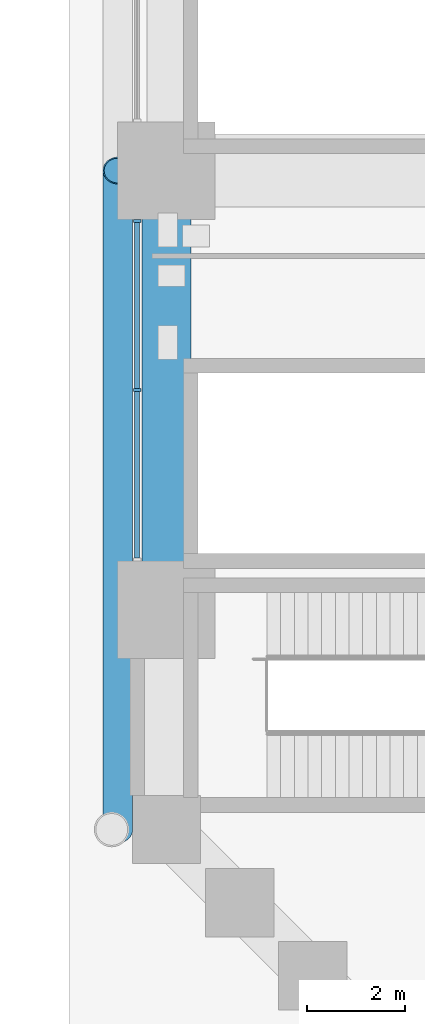
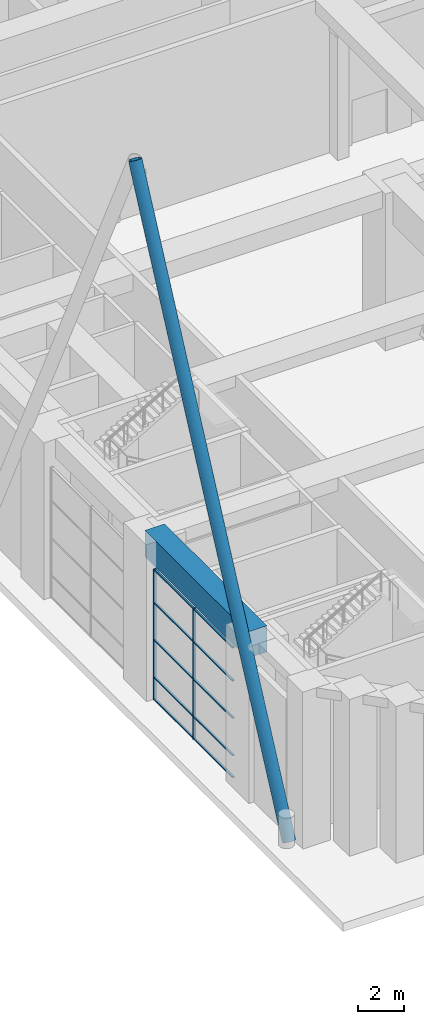
# One storey, part 3 of 44: 13 members, 1 beam, 1 element without a shape of its own.
"""IFC4 building model written with IfcOpenShell, lengths in metres."""

from ifc_helpers import new_model, si_unit, direction, frame, origin, origin_2d, place, context, subcontext, project, spatial, rectangle, hollow_circle, extrude, material, material_profile, profile_set, type_object, element, aggregate, save


model = new_model("IFC4")

# Units and contexts
model_context = context("Model", 3, precision=1e-05, world=origin(), true_north=direction((0.0, 1.0)))
body_context = subcontext(model_context, "Body", "Model", "MODEL_VIEW")
ifc_project = project(units=[si_unit("LENGTHUNIT", "METRE"), si_unit("AREAUNIT", "SQUARE_METRE"), si_unit("VOLUMEUNIT", "CUBIC_METRE"), si_unit("PLANEANGLEUNIT", "RADIAN"), si_unit("MASSUNIT", "GRAM", prefix="KILO")], contexts=[model_context])

# Site, building, storey
site_placement = place(None, origin())
site = spatial("IfcSite", under=ifc_project, at=site_placement, CompositionType="ELEMENT")
building_placement = place(site_placement, origin())
building = spatial("IfcBuilding", under=site, at=building_placement, Name="Firuza Court", CompositionType="ELEMENT")
storey_placement = place(building_placement, origin())
storey = spatial("IfcBuildingStorey", under=building, at=storey_placement, Name="L00", CompositionType="ELEMENT", Elevation=0.0)

# Member
ifc_material_1 = material(Name="Steel S355", Category="steel")
ifc_material_profile_1 = material_profile(ifc_material_1, hollow_circle(Radius=0.304931640625, WallThickness=0.02490234375, at=origin_2d()), Name="CHS 610x25")
ifc_profile_set_1 = profile_set([ifc_material_profile_1], Name="Steel S355")
member_type_1 = type_object("IfcMemberType", Name="Diagrid diagonal CHS 610x25 S355", PredefinedType="USERDEFINED", material=ifc_profile_set_1)
member_1_placement = place(storey_placement, frame((-0.9951171875, 4.5, 0.130859375), z_axis=(0.0, 0.430315969648, 0.902678329343), x_axis=(-1.0, 0.0, 0.0)))
element("IfcMember", 1, at=member_1_placement, inside=storey, type_object=member_type_1, Name="Diagrid diagonal L00 to L05", ObjectType="DIAGRID", PredefinedType="USERDEFINED", context=body_context, shape_type="SweptSolid", body=[
    extrude(hollow_circle(Radius=0.304931640625, WallThickness=0.02490234375, at=origin_2d()), origin(), (0.0, 0.0, 1.0), 31.372314453125),
])

# Curtain wall, members
ifc_material_2 = material(Name="Aluminium curtain wall, triple clear glazing", Category="aluminium")
curtain_wall_type = type_object("IfcCurtainWallType", Name="Ground lobby stick shopfront CW2", PredefinedType="NOTDEFINED", material=ifc_material_2)
curtain_wall_placement = place(storey_placement, origin())
curtain_wall = element("IfcCurtainWall", 2, at=curtain_wall_placement, inside=storey, type_object=curtain_wall_type, Name="Ground lobby stick shopfront CW2 L00", PredefinedType="NOTDEFINED")
ifc_material_3 = material(Name="Aluminium EN AW-6060 T66", Category="aluminium")
ifc_material_profile_2 = material_profile(ifc_material_3, rectangle(XDim=0.14990234375, YDim=0.06005859375, at=origin_2d()), Name="Mullion 150 x 60 CW2")
ifc_profile_set_2 = profile_set([ifc_material_profile_2], Name="Aluminium EN AW-6060 T66")
member_type_2 = type_object("IfcMemberType", Name="Mullion 150 x 60 CW2", PredefinedType="MULLION", material=ifc_profile_set_2)
member_2_placement = place(storey_placement, frame((-0.60009765625, 16.969970703125, 0.0), z_axis=(0.0, 0.0, 1.0), x_axis=(1.0, 0.0, 0.0)))
member_2 = element("IfcMember", 3, at=member_2_placement, type_object=member_type_2, Name="CW2 mullion 1", PredefinedType="MULLION", context=body_context, shape_type="SweptSolid", body=[
    extrude(rectangle(XDim=0.14990234375, YDim=0.06005859375, at=origin_2d()), origin(), (0.0, 0.0, 1.0), 7.0),
])
member_3_placement = place(storey_placement, frame((-0.60009765625, 13.5, 0.0), z_axis=(0.0, 0.0, 1.0), x_axis=(1.0, 0.0, 0.0)))
member_3 = element("IfcMember", 4, at=member_3_placement, type_object=member_type_2, Name="CW2 mullion 2", PredefinedType="MULLION", context=body_context, shape_type="SweptSolid", body=[
    extrude(rectangle(XDim=0.14990234375, YDim=0.06005859375, at=origin_2d()), origin(), (0.0, 0.0, 1.0), 7.0),
])

# Beam
ifc_material_4 = material(Name="Concrete C60/75", Category="concrete")
ifc_material_profile_3 = material_profile(ifc_material_4, rectangle(XDim=1.0, YDim=1.39990234375, at=origin_2d()), Name="RC 1000x1400")
ifc_profile_set_3 = profile_set([ifc_material_profile_3], Name="Concrete C60/75")
beam_type = type_object("IfcBeamType", Name="Transfer girder RC 1000x1400 C60/75", PredefinedType="USERDEFINED", material=ifc_profile_set_3)
beam_placement = place(storey_placement, frame((0.0, 18.0, 7.699951171875), z_axis=(0.0, -1.0, 0.0), x_axis=(1.0, 0.0, 0.0)))
element("IfcBeam", 5, at=beam_placement, inside=storey, type_object=beam_type, Name="Transfer girder TG1 level L01", ObjectType="TRANSFER GIRDER", PredefinedType="USERDEFINED", context=body_context, shape_type="SweptSolid", body=[
    extrude(rectangle(XDim=1.0, YDim=1.39990234375, at=origin_2d()), origin(), (0.0, 0.0, 1.0), 9.0),
])

# Member
ifc_material_5 = material(Name="Aluminium EN AW-6060 T66", Category="aluminium")
ifc_material_profile_4 = material_profile(ifc_material_5, rectangle(XDim=0.10009765625, YDim=0.06005859375, at=origin_2d()), Name="Transom 100 x 60 CW2")
ifc_profile_set_4 = profile_set([ifc_material_profile_4], Name="Aluminium EN AW-6060 T66")
member_type_3 = type_object("IfcMemberType", Name="Transom 100 x 60 CW2", PredefinedType="USERDEFINED", material=ifc_profile_set_4)
member_4_placement = place(storey_placement, frame((-0.60009765625, 16.93994140625, 0.030029296875), z_axis=(0.0, -1.0, 0.0), x_axis=(1.0, 0.0, 0.0)))
member_4 = element("IfcMember", 6, at=member_4_placement, type_object=member_type_3, Name="CW2 transom 1.1", ObjectType="TRANSOM", PredefinedType="USERDEFINED", context=body_context, shape_type="SweptSolid", body=[
    extrude(rectangle(XDim=0.10009765625, YDim=0.06005859375, at=origin_2d()), origin(), (0.0, 0.0, 1.0), 3.409912109375),
])

member_5_placement = place(storey_placement, frame((-0.60009765625, 16.93994140625, 1.199951171875), z_axis=(0.0, -1.0, 0.0), x_axis=(1.0, 0.0, 0.0)))
member_5 = element("IfcMember", 7, at=member_5_placement, type_object=member_type_3, Name="CW2 transom 1.2", ObjectType="TRANSOM", PredefinedType="USERDEFINED", context=body_context, shape_type="SweptSolid", body=[
    extrude(rectangle(XDim=0.10009765625, YDim=0.06005859375, at=origin_2d()), origin(), (0.0, 0.0, 1.0), 3.409912109375),
])

member_6_placement = place(storey_placement, frame((-0.60009765625, 16.93994140625, 3.199951171875), z_axis=(0.0, -1.0, 0.0), x_axis=(1.0, 0.0, 0.0)))
member_6 = element("IfcMember", 8, at=member_6_placement, type_object=member_type_3, Name="CW2 transom 1.3", ObjectType="TRANSOM", PredefinedType="USERDEFINED", context=body_context, shape_type="SweptSolid", body=[
    extrude(rectangle(XDim=0.10009765625, YDim=0.06005859375, at=origin_2d()), origin(), (0.0, 0.0, 1.0), 3.409912109375),
])

member_7_placement = place(storey_placement, frame((-0.60009765625, 16.93994140625, 5.199951171875), z_axis=(0.0, -1.0, 0.0), x_axis=(1.0, 0.0, 0.0)))
member_7 = element("IfcMember", 9, at=member_7_placement, type_object=member_type_3, Name="CW2 transom 1.4", ObjectType="TRANSOM", PredefinedType="USERDEFINED", context=body_context, shape_type="SweptSolid", body=[
    extrude(rectangle(XDim=0.10009765625, YDim=0.06005859375, at=origin_2d()), origin(), (0.0, 0.0, 1.0), 3.409912109375),
])

member_8_placement = place(storey_placement, frame((-0.60009765625, 16.93994140625, 6.969970703125), z_axis=(0.0, -1.0, 0.0), x_axis=(1.0, 0.0, 0.0)))
member_8 = element("IfcMember", 10, at=member_8_placement, type_object=member_type_3, Name="CW2 transom 1.5", ObjectType="TRANSOM", PredefinedType="USERDEFINED", context=body_context, shape_type="SweptSolid", body=[
    extrude(rectangle(XDim=0.10009765625, YDim=0.06005859375, at=origin_2d()), origin(), (0.0, 0.0, 1.0), 3.409912109375),
])

member_9_placement = place(storey_placement, frame((-0.60009765625, 13.469970703125, 0.030029296875), z_axis=(0.0, -1.0, 0.0), x_axis=(1.0, 0.0, 0.0)))
member_9 = element("IfcMember", 11, at=member_9_placement, type_object=member_type_3, Name="CW2 transom 2.1", ObjectType="TRANSOM", PredefinedType="USERDEFINED", context=body_context, shape_type="SweptSolid", body=[
    extrude(rectangle(XDim=0.10009765625, YDim=0.06005859375, at=origin_2d()), origin(), (0.0, 0.0, 1.0), 3.409912109375),
])

member_10_placement = place(storey_placement, frame((-0.60009765625, 13.469970703125, 1.199951171875), z_axis=(0.0, -1.0, 0.0), x_axis=(1.0, 0.0, 0.0)))
member_10 = element("IfcMember", 12, at=member_10_placement, type_object=member_type_3, Name="CW2 transom 2.2", ObjectType="TRANSOM", PredefinedType="USERDEFINED", context=body_context, shape_type="SweptSolid", body=[
    extrude(rectangle(XDim=0.10009765625, YDim=0.06005859375, at=origin_2d()), origin(), (0.0, 0.0, 1.0), 3.409912109375),
])

member_11_placement = place(storey_placement, frame((-0.60009765625, 13.469970703125, 3.199951171875), z_axis=(0.0, -1.0, 0.0), x_axis=(1.0, 0.0, 0.0)))
member_11 = element("IfcMember", 13, at=member_11_placement, type_object=member_type_3, Name="CW2 transom 2.3", ObjectType="TRANSOM", PredefinedType="USERDEFINED", context=body_context, shape_type="SweptSolid", body=[
    extrude(rectangle(XDim=0.10009765625, YDim=0.06005859375, at=origin_2d()), origin(), (0.0, 0.0, 1.0), 3.409912109375),
])

member_12_placement = place(storey_placement, frame((-0.60009765625, 13.469970703125, 5.199951171875), z_axis=(0.0, -1.0, 0.0), x_axis=(1.0, 0.0, 0.0)))
member_12 = element("IfcMember", 14, at=member_12_placement, type_object=member_type_3, Name="CW2 transom 2.4", ObjectType="TRANSOM", PredefinedType="USERDEFINED", context=body_context, shape_type="SweptSolid", body=[
    extrude(rectangle(XDim=0.10009765625, YDim=0.06005859375, at=origin_2d()), origin(), (0.0, 0.0, 1.0), 3.409912109375),
])

member_13_placement = place(storey_placement, frame((-0.60009765625, 13.469970703125, 6.969970703125), z_axis=(0.0, -1.0, 0.0), x_axis=(1.0, 0.0, 0.0)))
member_13 = element("IfcMember", 15, at=member_13_placement, type_object=member_type_3, Name="CW2 transom 2.5", ObjectType="TRANSOM", PredefinedType="USERDEFINED", context=body_context, shape_type="SweptSolid", body=[
    extrude(rectangle(XDim=0.10009765625, YDim=0.06005859375, at=origin_2d()), origin(), (0.0, 0.0, 1.0), 3.409912109375),
])

aggregate(curtain_wall, [member_2, member_3, member_4, member_5, member_6, member_7, member_8, member_9, member_10, member_11, member_12, member_13])

save(model, "model.ifc")
